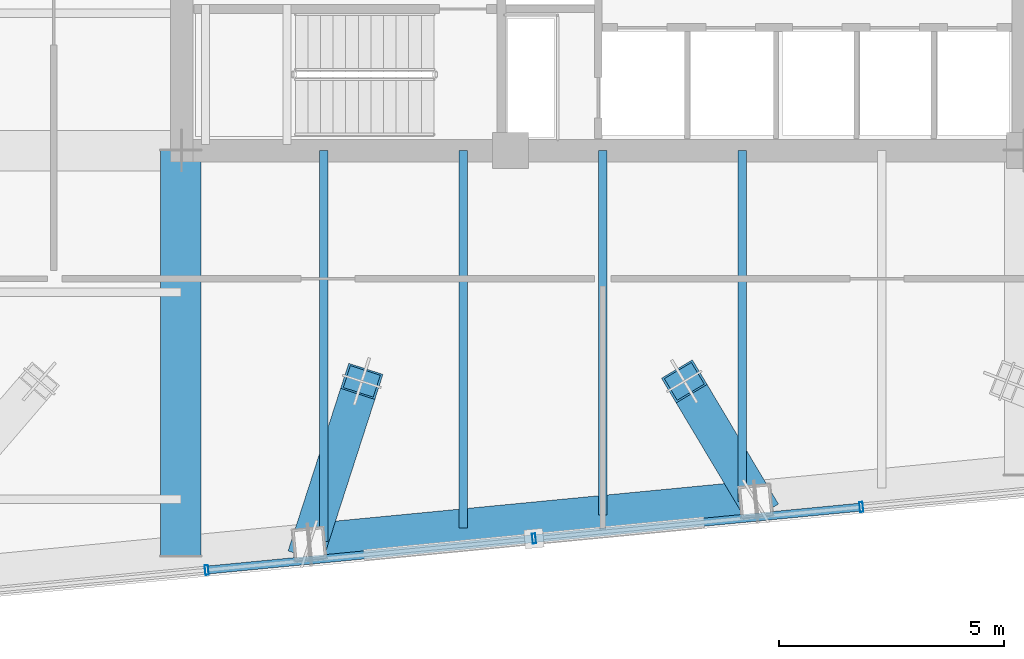
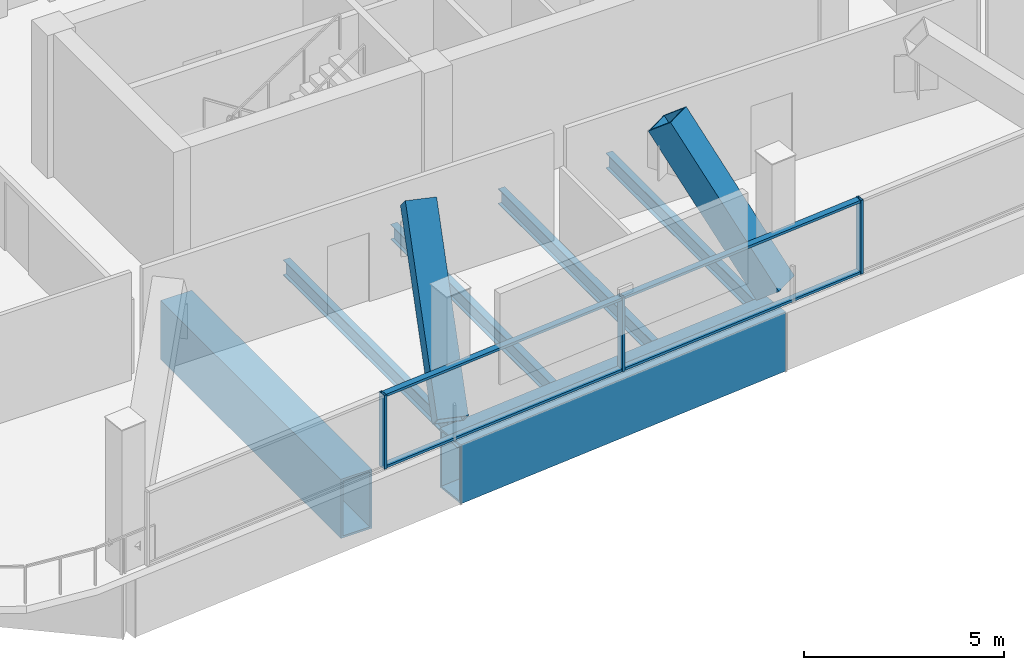
# One storey, part 4 of 22: 9 members, 6 beams, 1 element without a shape of its own.
"""IFC4 building model written with IfcOpenShell, lengths in metres."""

from ifc_helpers import new_model, si_unit, direction, frame, origin, origin_2d, place, context, subcontext, project, spatial, hollow_rectangle, i_section, extrude, material, layer, layer_set, material_profile, profile_set, type_object, element, aggregate, save


model = new_model("IFC4")

# Units and contexts
model_context = context("Model", 3, precision=1e-05, world=origin(), true_north=direction((0.0, 1.0)))
body_context = subcontext(model_context, "Body", "Model", "MODEL_VIEW")
ifc_project = project(units=[si_unit("LENGTHUNIT", "METRE"), si_unit("AREAUNIT", "SQUARE_METRE"), si_unit("VOLUMEUNIT", "CUBIC_METRE"), si_unit("PLANEANGLEUNIT", "RADIAN"), si_unit("MASSUNIT", "GRAM", prefix="KILO")], contexts=[model_context])

# Site, building, storey
site_placement = place(None, origin())
site = spatial("IfcSite", under=ifc_project, at=site_placement, CompositionType="ELEMENT")
building_placement = place(site_placement, origin())
building = spatial("IfcBuilding", under=site, at=building_placement, Name="Qhalaya Broadcast Tower", CompositionType="ELEMENT")
storey_placement = place(building_placement, frame((0.0, 0.0, 183.60009765625)))
storey = spatial("IfcBuildingStorey", under=building, at=storey_placement, Name="L54", CompositionType="ELEMENT", Elevation=183.60009765625)

# Beams
ifc_material_1 = material(Name="Structural Steel ASTM A572 Grade 50", Category="steel")
ifc_material_profile_1 = material_profile(ifc_material_1, hollow_rectangle(XDim=0.89990234375, YDim=1.800048828125, WallThickness=0.06005859375, at=origin_2d()), Name="BOX 900x1800x60")
ifc_profile_set_1 = profile_set([ifc_material_profile_1], Name="Structural Steel ASTM A572 Grade 50")
beam_type_1 = type_object("IfcBeamType", Name="Block Cantilever Transfer Box Girder TG1", PredefinedType="USERDEFINED", material=ifc_profile_set_1)
beam_1_placement = place(storey_placement, frame((-6.521240234375, -17.49267578125, -1.1201171875), z_axis=(0.99539573508, 0.095850563819, 0.0), x_axis=(-0.095850563819, 0.99539573508, 0.0)))
element("IfcBeam", 1, at=beam_1_placement, inside=storey, type_object=beam_type_1, Name="L54 TG1 L54-SPR-02", ObjectType="GIRDER", PredefinedType="USERDEFINED", context=body_context, shape_type="SweptSolid", body=[
    extrude(hollow_rectangle(XDim=0.89990234375, YDim=1.800048828125, WallThickness=0.06005859375, at=origin_2d()), origin(), (0.0, 0.0, 1.0), 9.966796875),
])
beam_2_placement = place(storey_placement, frame((-9.375, -17.747314453125, -1.1201171875), z_axis=(0.0, 1.0, 0.0), x_axis=(-1.0, 0.0, 0.0)))
element("IfcBeam", 2, at=beam_2_placement, inside=storey, type_object=beam_type_1, Name="L54 TG1 L54-PGXS1-1", ObjectType="GIRDER", PredefinedType="USERDEFINED", context=body_context, shape_type="SweptSolid", body=[
    extrude(hollow_rectangle(XDim=0.89990234375, YDim=1.800048828125, WallThickness=0.06005859375, at=origin_2d()), origin(), (0.0, 0.0, 1.0), 8.997314453125),
])
ifc_material_2 = material(Name="Structural Steel ASTM A992 Grade 50", Category="steel")
ifc_material_profile_2 = material_profile(ifc_material_2, i_section(OverallWidth=0.19189453125, OverallDepth=0.462890625, WebThickness=0.010498046875, FlangeThickness=0.017578125, at=origin_2d()), Name="W18X60")
ifc_profile_set_2 = profile_set([ifc_material_profile_2], Name="Structural Steel ASTM A992 Grade 50")
beam_type_2 = type_object("IfcBeamType", Name="Composite Floor Joist J03", PredefinedType="JOIST", material=ifc_profile_set_2)
beam_3_placement = place(storey_placement, frame((-6.199951171875, -17.441650390625, -0.45166015625), z_axis=(0.0, 1.0, 0.0), x_axis=(-1.0, 0.0, 0.0)))
element("IfcBeam", 3, at=beam_3_placement, inside=storey, type_object=beam_type_2, Name="L54 J03 L54-JNS1-1", PredefinedType="JOIST", context=body_context, shape_type="SweptSolid", body=[
    extrude(i_section(OverallWidth=0.19189453125, OverallDepth=0.462890625, WebThickness=0.010498046875, FlangeThickness=0.017578125, at=origin_2d()), origin(), (0.0, 0.0, 1.0), 8.691650390625),
])
beam_4_placement = place(storey_placement, frame((-3.10009765625, -17.14306640625, -0.45166015625), z_axis=(0.0, 1.0, 0.0), x_axis=(-1.0, 0.0, 0.0)))
element("IfcBeam", 4, at=beam_4_placement, inside=storey, type_object=beam_type_2, Name="L54 J03 L54-JNS2-1", PredefinedType="JOIST", context=body_context, shape_type="SweptSolid", body=[
    extrude(i_section(OverallWidth=0.19189453125, OverallDepth=0.462890625, WebThickness=0.010498046875, FlangeThickness=0.017578125, at=origin_2d()), origin(), (0.0, 0.0, 1.0), 8.39306640625),
])
beam_5_placement = place(storey_placement, frame((0.0, -16.844482421875, -0.45166015625), z_axis=(0.0, 1.0, 0.0), x_axis=(-1.0, 0.0, 0.0)))
element("IfcBeam", 5, at=beam_5_placement, inside=storey, type_object=beam_type_2, Name="L54 J03 L54-JNS3-1", PredefinedType="JOIST", context=body_context, shape_type="SweptSolid", body=[
    extrude(i_section(OverallWidth=0.19189453125, OverallDepth=0.462890625, WebThickness=0.010498046875, FlangeThickness=0.017578125, at=origin_2d()), origin(), (0.0, 0.0, 1.0), 8.094482421875),
])
beam_6_placement = place(storey_placement, frame((3.10009765625, -16.546142578125, -0.45166015625), z_axis=(0.0, 1.0, 0.0), x_axis=(-1.0, 0.0, 0.0)))
element("IfcBeam", 6, at=beam_6_placement, inside=storey, type_object=beam_type_2, Name="L54 J03 L54-JNS4-1", PredefinedType="JOIST", context=body_context, shape_type="SweptSolid", body=[
    extrude(i_section(OverallWidth=0.19189453125, OverallDepth=0.462890625, WebThickness=0.010498046875, FlangeThickness=0.017578125, at=origin_2d()), origin(), (0.0, 0.0, 1.0), 7.796142578125),
])

# Curtain wall, members
ifc_material_3 = material(Name="Fired Architectural Terracotta", Category="masonry")
ifc_layer = layer(ifc_material_3, 0.219970703125, Name="Fired Architectural Terracotta")
ifc_layer_set = layer_set([ifc_layer], Name="Fired Architectural Terracotta")
curtain_wall_type = type_object("IfcCurtainWallType", Name="Block-Cap Unitised Terracotta Spandrel Wall CW-07", PredefinedType="NOTDEFINED", material=ifc_layer_set)
curtain_wall_placement = place(storey_placement, origin())
curtain_wall = element("IfcCurtainWall", 7, at=curtain_wall_placement, inside=storey, type_object=curtain_wall_type, Name="L54 Unitised Curtain Wall L54-CW-S", PredefinedType="NOTDEFINED")
ifc_material_4 = material(Name="Anodised Aluminium 6063-T6", Category="aluminium")
ifc_material_profile_3 = material_profile(ifc_material_4, hollow_rectangle(XDim=0.074951171875, YDim=0.219970703125, WallThickness=0.00390625, at=origin_2d()), Name="ALU-MUL 75x220x4")
ifc_profile_set_3 = profile_set([ifc_material_profile_3], Name="Anodised Aluminium 6063-T6")
member_type_1 = type_object("IfcMemberType", Name="Unitised Curtain-Wall Mullion M01", PredefinedType="MULLION", material=ifc_profile_set_3)
member_1_placement = place(storey_placement, frame((5.74609375, -16.673095703125, 0.0), z_axis=(0.0, 0.0, 1.0), x_axis=(-0.995396167806, -0.095846069906, 0.0)))
member_1 = element("IfcMember", 8, at=member_1_placement, type_object=member_type_1, Name="CW-07 mullion 2", PredefinedType="MULLION", context=body_context, shape_type="SweptSolid", body=[
    extrude(hollow_rectangle(XDim=0.074951171875, YDim=0.219970703125, WallThickness=0.00390625, at=origin_2d()), origin(), (0.0, 0.0, 1.0), 2.25),
])
member_2_placement = place(storey_placement, frame((-1.5263671875, -17.373291015625, 0.0), z_axis=(0.0, 0.0, 1.0), x_axis=(-0.995396167806, -0.095846069906, 0.0)))
member_2 = element("IfcMember", 9, at=member_2_placement, type_object=member_type_1, Name="CW-07 mullion 3", PredefinedType="MULLION", context=body_context, shape_type="SweptSolid", body=[
    extrude(hollow_rectangle(XDim=0.074951171875, YDim=0.219970703125, WallThickness=0.00390625, at=origin_2d()), origin(), (0.0, 0.0, 1.0), 2.25),
])
member_3_placement = place(storey_placement, frame((-8.798583984375, -18.073486328125, 0.0), z_axis=(0.0, 0.0, 1.0), x_axis=(-0.995396167806, -0.095846069906, 0.0)))
member_3 = element("IfcMember", 10, at=member_3_placement, type_object=member_type_1, Name="CW-07 mullion 4", PredefinedType="MULLION", context=body_context, shape_type="SweptSolid", body=[
    extrude(hollow_rectangle(XDim=0.074951171875, YDim=0.219970703125, WallThickness=0.00390625, at=origin_2d()), origin(), (0.0, 0.0, 1.0), 2.25),
])
ifc_material_profile_4 = material_profile(ifc_material_4, hollow_rectangle(XDim=0.074951171875, YDim=0.179931640625, WallThickness=0.00390625, at=origin_2d()), Name="ALU-TRN 75x180x4")
ifc_profile_set_4 = profile_set([ifc_material_profile_4], Name="Anodised Aluminium 6063-T6")
member_type_2 = type_object("IfcMemberType", Name="Unitised Curtain-Wall Transom T01", PredefinedType="USERDEFINED", material=ifc_profile_set_4)
member_4_placement = place(storey_placement, frame((5.708740234375, -16.6767578125, 0.037353515625), z_axis=(-0.995398754689, -0.095819200387, 0.0), x_axis=(0.0, 0.0, 1.0)))
member_4 = element("IfcMember", 11, at=member_4_placement, type_object=member_type_2, Name="CW-07 transom 2.1", ObjectType="TRANSOM", PredefinedType="USERDEFINED", context=body_context, shape_type="SweptSolid", body=[
    extrude(hollow_rectangle(XDim=0.074951171875, YDim=0.179931640625, WallThickness=0.00390625, at=origin_2d()), origin(), (0.0, 0.0, 1.0), 7.23095703125),
])
member_5_placement = place(storey_placement, frame((5.708740234375, -16.6767578125, 2.21240234375), z_axis=(-0.995398754689, -0.095819200387, 0.0), x_axis=(0.0, 0.0, 1.0)))
member_5 = element("IfcMember", 12, at=member_5_placement, type_object=member_type_2, Name="CW-07 transom 2.2", ObjectType="TRANSOM", PredefinedType="USERDEFINED", context=body_context, shape_type="SweptSolid", body=[
    extrude(hollow_rectangle(XDim=0.074951171875, YDim=0.179931640625, WallThickness=0.00390625, at=origin_2d()), origin(), (0.0, 0.0, 1.0), 7.23095703125),
])
member_6_placement = place(storey_placement, frame((-1.563720703125, -17.376953125, 0.037353515625), z_axis=(-0.995395223667, -0.095855874631, 0.0), x_axis=(0.0, 0.0, 1.0)))
member_6 = element("IfcMember", 13, at=member_6_placement, type_object=member_type_2, Name="CW-07 transom 3.1", ObjectType="TRANSOM", PredefinedType="USERDEFINED", context=body_context, shape_type="SweptSolid", body=[
    extrude(hollow_rectangle(XDim=0.074951171875, YDim=0.179931640625, WallThickness=0.00390625, at=origin_2d()), origin(), (0.0, 0.0, 1.0), 7.230712890625),
])
member_7_placement = place(storey_placement, frame((-1.563720703125, -17.376953125, 2.21240234375), z_axis=(-0.995395223667, -0.095855874631, 0.0), x_axis=(0.0, 0.0, 1.0)))
member_7 = element("IfcMember", 14, at=member_7_placement, type_object=member_type_2, Name="CW-07 transom 3.2", ObjectType="TRANSOM", PredefinedType="USERDEFINED", context=body_context, shape_type="SweptSolid", body=[
    extrude(hollow_rectangle(XDim=0.074951171875, YDim=0.179931640625, WallThickness=0.00390625, at=origin_2d()), origin(), (0.0, 0.0, 1.0), 7.230712890625),
])
aggregate(curtain_wall, [member_1, member_2, member_3, member_4, member_5, member_6, member_7])

# Members
ifc_material_profile_5 = material_profile(ifc_material_1, hollow_rectangle(XDim=0.800048828125, YDim=0.800048828125, WallThickness=0.050048828125, at=origin_2d()), Name="BOX 800x800x50")
ifc_profile_set_5 = profile_set([ifc_material_profile_5], Name="Structural Steel ASTM A572 Grade 50")
member_type_3 = type_object("IfcMemberType", Name="Upper Exoskeleton Transfer Strut RK2", PredefinedType="BRACE", material=ifc_profile_set_5)
member_8_placement = place(storey_placement, frame((-6.521240234375, -17.49267578125, 0.282958984375), z_axis=(0.209922223153, 0.649337177722, 0.730954095587), x_axis=(-0.951512068582, 0.307611416144, 0.0)))
element("IfcMember", 15, at=member_8_placement, inside=storey, type_object=member_type_3, Name="L54 Inclined Exoskeleton Transfer Strut 02", PredefinedType="BRACE", context=body_context, shape_type="SweptSolid", body=[
    extrude(hollow_rectangle(XDim=0.800048828125, YDim=0.800048828125, WallThickness=0.050048828125, at=origin_2d()), origin(), (0.0, 0.0, 1.0), 5.563720703125),
])
member_9_placement = place(storey_placement, frame((3.399658203125, -16.537353515625, 0.2509765625), z_axis=(-0.308876536443, 0.517408602521, 0.798049887709), x_axis=(-0.858639230151, -0.512580405835, 0.0)))
element("IfcMember", 16, at=member_9_placement, inside=storey, type_object=member_type_3, Name="L54 Inclined Exoskeleton Transfer Strut 03", PredefinedType="BRACE", context=body_context, shape_type="SweptSolid", body=[
    extrude(hollow_rectangle(XDim=0.800048828125, YDim=0.800048828125, WallThickness=0.050048828125, at=origin_2d()), origin(), (0.0, 0.0, 1.0), 5.13623046875),
])

save(model, "model.ifc")
